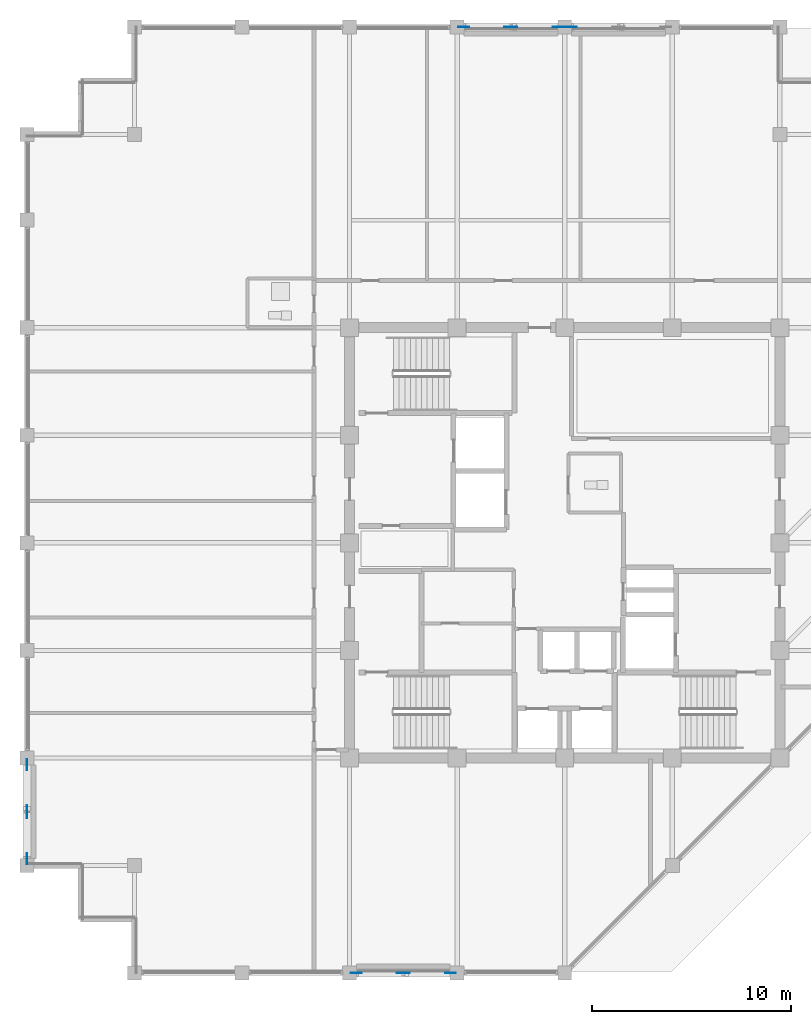
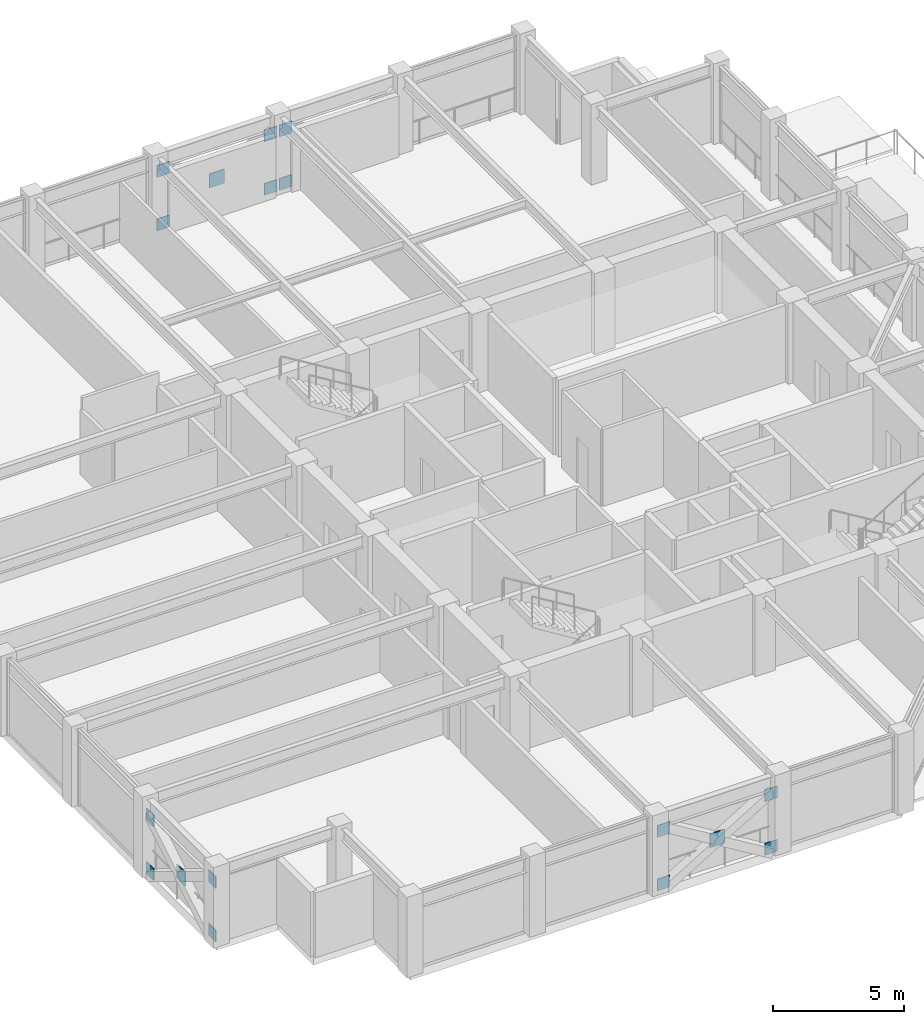
# One storey, part 24 of 34: 17 plates.
"""IFC4 building model written with IfcOpenShell, lengths in metres."""

from ifc_helpers import new_model, si_unit, direction, frame, origin, origin_2d, place, context, subcontext, project, spatial, rectangle, extrude, material, layer, layer_set, type_object, element, save


model = new_model("IFC4")

# Units and contexts
model_context = context("Model", 3, precision=1e-05, world=origin(), true_north=direction((0.0, 1.0)))
body_context = subcontext(model_context, "Body", "Model", "MODEL_VIEW")
ifc_project = project(units=[si_unit("LENGTHUNIT", "METRE"), si_unit("AREAUNIT", "SQUARE_METRE"), si_unit("VOLUMEUNIT", "CUBIC_METRE"), si_unit("PLANEANGLEUNIT", "RADIAN"), si_unit("MASSUNIT", "GRAM", prefix="KILO")], contexts=[model_context])

# Site, building, storey
site_placement = place(None, origin())
site = spatial("IfcSite", under=ifc_project, at=site_placement, CompositionType="ELEMENT")
building_placement = place(site_placement, origin())
building = spatial("IfcBuilding", under=site, at=building_placement, Name="Surkhivell Harbour Commons", CompositionType="ELEMENT")
storey_placement = place(building_placement, frame((0.0, 0.0, 258.75)))
storey = spatial("IfcBuildingStorey", under=building, at=storey_placement, Name="L67", CompositionType="ELEMENT", Elevation=258.75)

# Plates
ifc_material = material(Name="Steel S460", Category="steel")
ifc_layer_1 = layer(ifc_material, 0.035888671875)
ifc_layer_set_1 = layer_set([ifc_layer_1], Name="Steel S460")
plate_type_1 = type_object("IfcPlateType", Name="PLT-GUS-550", PredefinedType="USERDEFINED", material=ifc_layer_set_1)
for number, where, z_axis, x_axis, name in (
    (1, (-5.06494140625, 25.89990234375, -0.07470703125), (0.0, 0.0, 1.0), (1.0, 0.0, 0.0), "L67 Perimeter Mega-Brace MB- Corner Gusset N-1"),
    (2, (-0.3349609375, 25.89990234375, -0.07470703125), (0.0, 0.0, 1.0), (1.0, 0.0, 0.0), "L67 Perimeter Mega-Brace MB- Corner Gusset N-2"),
    (3, (-5.06494140625, 25.89990234375, 2.41357421875), (0.0, 0.0, 1.0), (1.0, 0.0, 0.0), "L67 Perimeter Mega-Brace MB- Corner Gusset N-3"),
    (4, (-0.3349609375, 25.89990234375, 2.41357421875), (0.0, 0.0, 1.0), (1.0, 0.0, 0.0), "L67 Perimeter Mega-Brace MB- Corner Gusset N-4"),
    (5, (0.3349609375, 25.89990234375, -0.07470703125), (0.0, 0.0, 1.0), (1.0, 0.0, 0.0), "L67 Perimeter Mega-Brace MB- Corner Gusset N2-1"),
    (6, (0.3349609375, 25.89990234375, 2.41357421875), (0.0, 0.0, 1.0), (1.0, 0.0, 0.0), "L67 Perimeter Mega-Brace MB- Corner Gusset N2-3"),
    (7, (-10.465087890625, -21.60009765625, -0.07470703125), (0.0, 0.0, 1.0), (1.0, 0.0, 0.0), "L67 Perimeter Mega-Brace MB- Corner Gusset S-1"),
    (8, (-5.735107421875, -21.60009765625, -0.07470703125), (0.0, 0.0, 1.0), (1.0, 0.0, 0.0), "L67 Perimeter Mega-Brace MB- Corner Gusset S-2"),
    (9, (-10.465087890625, -21.60009765625, 2.41357421875), (0.0, 0.0, 1.0), (1.0, 0.0, 0.0), "L67 Perimeter Mega-Brace MB- Corner Gusset S-3"),
    (10, (-5.735107421875, -21.60009765625, 2.41357421875), (0.0, 0.0, 1.0), (1.0, 0.0, 0.0), "L67 Perimeter Mega-Brace MB- Corner Gusset S-4"),
    (11, (-27.0, -15.864990234375, -0.07470703125), (0.0, 0.0, 1.0), (0.0, 1.0, 0.0), "L67 Perimeter Mega-Brace MB- Corner Gusset W-1"),
    (12, (-27.0, -11.135009765625, -0.07470703125), (0.0, 0.0, 1.0), (0.0, 1.0, 0.0), "L67 Perimeter Mega-Brace MB- Corner Gusset W-2"),
    (13, (-27.0, -15.864990234375, 2.41357421875), (0.0, 0.0, 1.0), (0.0, 1.0, 0.0), "L67 Perimeter Mega-Brace MB- Corner Gusset W-3"),
    (14, (-27.0, -11.135009765625, 2.41357421875), (0.0, 0.0, 1.0), (0.0, 1.0, 0.0), "L67 Perimeter Mega-Brace MB- Corner Gusset W-4"),
):
    element("IfcPlate", number, at=place(storey_placement, frame(where, z_axis=z_axis, x_axis=x_axis)), inside=storey, type_object=plate_type_1, Name=name, ObjectType="GUSSET_PLATE", PredefinedType="USERDEFINED", context=body_context, shape_type="SweptSolid", body=[
        extrude(rectangle(XDim=0.550048828125, YDim=0.035888671875, at=origin_2d()), origin(), (0.0, 0.0, 1.0), 0.550048828125),
    ])
ifc_layer_2 = layer(ifc_material, 0.044921875)
ifc_layer_set_2 = layer_set([ifc_layer_2], Name="Steel S460")
plate_type_2 = type_object("IfcPlateType", Name="PLT-GUS-650", PredefinedType="USERDEFINED", material=ifc_layer_set_2)
for number, where, z_axis, x_axis, name in (
    (15, (-2.699951171875, 25.89990234375, 1.11962890625), (0.0, 0.0, 1.0), (1.0, 0.0, 0.0), "L67 Perimeter Mega-Brace MB- Central Crossing Gusset N"),
    (16, (-8.10009765625, -21.60009765625, 1.11962890625), (0.0, 0.0, 1.0), (1.0, 0.0, 0.0), "L67 Perimeter Mega-Brace MB- Central Crossing Gusset S"),
    (17, (-27.0, -13.5, 1.11962890625), (0.0, 0.0, 1.0), (0.0, 1.0, 0.0), "L67 Perimeter Mega-Brace MB- Central Crossing Gusset W"),
):
    element("IfcPlate", number, at=place(storey_placement, frame(where, z_axis=z_axis, x_axis=x_axis)), inside=storey, type_object=plate_type_2, Name=name, ObjectType="GUSSET_PLATE", PredefinedType="USERDEFINED", context=body_context, shape_type="SweptSolid", body=[
        extrude(rectangle(XDim=0.64990234375, YDim=0.044921875, at=origin_2d()), origin(), (0.0, 0.0, 1.0), 0.64990234375),
    ])

save(model, "model.ifc")
